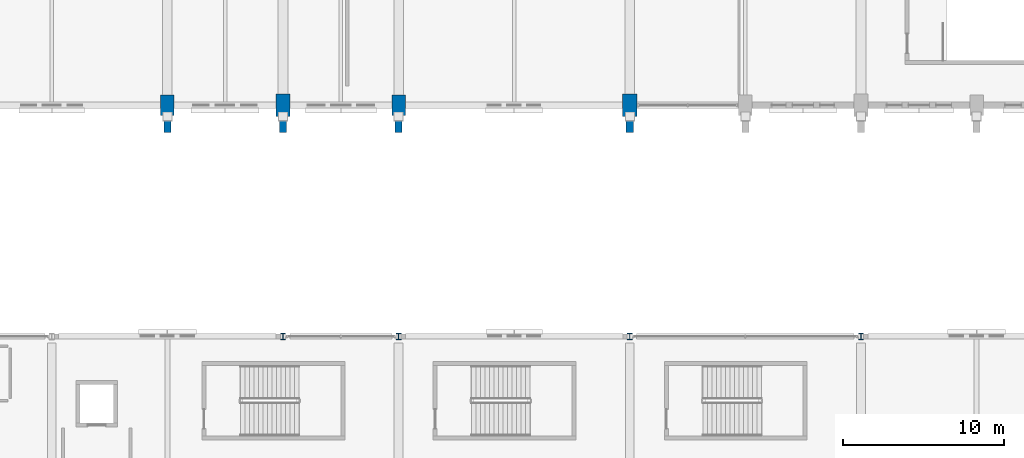
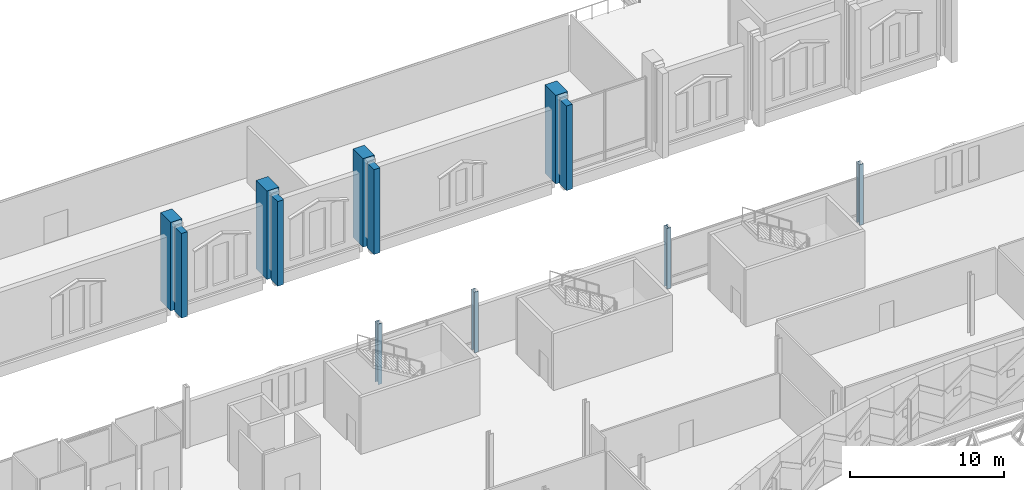
# One storey, part 7 of 220: 12 columns.
"""IFC4 building model written with IfcOpenShell, lengths in metres."""

from ifc_helpers import new_model, si_unit, direction, frame, origin, origin_2d, place, context, subcontext, project, spatial, rectangle, i_section, extrude, material, material_profile, profile_set, type_object, element, save


model = new_model("IFC4")

# Units and contexts
model_context = context("Model", 3, precision=1e-05, world=origin(), true_north=direction((0.0, 1.0)))
body_context = subcontext(model_context, "Body", "Model", "MODEL_VIEW")
ifc_project = project(units=[si_unit("LENGTHUNIT", "METRE"), si_unit("AREAUNIT", "SQUARE_METRE"), si_unit("VOLUMEUNIT", "CUBIC_METRE"), si_unit("PLANEANGLEUNIT", "RADIAN"), si_unit("MASSUNIT", "GRAM", prefix="KILO")], contexts=[model_context])

# Site, building, storey
site_placement = place(None, origin())
site = spatial("IfcSite", under=ifc_project, at=site_placement, CompositionType="ELEMENT")
building_placement = place(site_placement, origin())
building = spatial("IfcBuilding", under=site, at=building_placement, Name="Cendralis Lancet Convention Centre", CompositionType="ELEMENT")
storey_placement = place(building_placement, frame((0.0, 0.0, 5.39990234375)))
storey = spatial("IfcBuildingStorey", under=building, at=storey_placement, Name="L01", CompositionType="ELEMENT", Elevation=5.39990234375)

# Columns
ifc_material_1 = material(Name="Concrete G40 (C40/50)", Category="concrete")
ifc_material_profile_1 = material_profile(ifc_material_1, rectangle(XDim=0.89990234375, YDim=1.39990234375, at=origin_2d()), Name="RC 900x1400")
ifc_profile_set_1 = profile_set([ifc_material_profile_1], Name="Concrete G40 (C40/50)")
column_type_1 = type_object("IfcColumnType", Name="STR-COL-C13", PredefinedType="COLUMN", material=ifc_profile_set_1)
for number, where, z_axis, x_axis, name in (
    (1, (72.0, 50.39990234375, 0.0), (0.0, 0.0, 1.0), (1.0, 0.0, 0.0), "L01 Column C13 at 72.0,50.4"),
    (2, (93.60009765625, 50.39990234375, 0.0), (0.0, 0.0, 1.0), (1.0, 0.0, 0.0), "L01 Column C13 at 93.6,50.4"),
):
    element("IfcColumn", number, at=place(storey_placement, frame(where, z_axis=z_axis, x_axis=x_axis)), inside=storey, type_object=column_type_1, Name=name, PredefinedType="COLUMN", context=body_context, shape_type="SweptSolid", body=[
        extrude(rectangle(XDim=0.89990234375, YDim=1.39990234375, at=origin_2d()), origin(), (0.0, 0.0, 1.0), 7.0),
    ])
ifc_material_profile_2 = material_profile(ifc_material_1, rectangle(XDim=0.85009765625, YDim=1.300048828125, at=origin_2d()), Name="RC 850x1300")
ifc_profile_set_2 = profile_set([ifc_material_profile_2], Name="Concrete G40 (C40/50)")
column_type_2 = type_object("IfcColumnType", Name="STR-COL-C14", PredefinedType="COLUMN", material=ifc_profile_set_2)
for number, where, z_axis, x_axis, name in (
    (3, (64.800048828125, 50.39990234375, 0.0), (0.0, 0.0, 1.0), (1.0, 0.0, 0.0), "L01 Column C14 at 64.8,50.4"),
    (4, (79.199951171875, 50.39990234375, 0.0), (0.0, 0.0, 1.0), (1.0, 0.0, 0.0), "L01 Column C14 at 79.2,50.4"),
):
    element("IfcColumn", number, at=place(storey_placement, frame(where, z_axis=z_axis, x_axis=x_axis)), inside=storey, type_object=column_type_2, Name=name, PredefinedType="COLUMN", context=body_context, shape_type="SweptSolid", body=[
        extrude(rectangle(XDim=0.85009765625, YDim=1.300048828125, at=origin_2d()), origin(), (0.0, 0.0, 1.0), 7.0),
    ])
ifc_material_2 = material(Name="Steel S355", Category="steel")
ifc_material_profile_3 = material_profile(ifc_material_2, i_section(OverallWidth=0.300048828125, OverallDepth=0.39990234375, WebThickness=0.013427734375, FlangeThickness=0.02392578125, FilletRadius=0.027099609375, at=origin_2d()), Name="HEB 400")
ifc_profile_set_3 = profile_set([ifc_material_profile_3], Name="Steel S355")
column_type_3 = type_object("IfcColumnType", Name="STR-COL-C25", PredefinedType="COLUMN", material=ifc_profile_set_3)
for number, where, z_axis, x_axis, name in (
    (5, (72.0, 36.0, 0.0), (0.0, 0.0, 1.0), (1.0, 0.0, 0.0), "L01 Column C25 at 72.0,36.0"),
    (6, (79.199951171875, 36.0, 0.0), (0.0, 0.0, 1.0), (1.0, 0.0, 0.0), "L01 Column C25 at 79.2,36.0"),
    (7, (93.60009765625, 36.0, 0.0), (0.0, 0.0, 1.0), (1.0, 0.0, 0.0), "L01 Column C25 at 93.6,36.0"),
    (8, (108.0, 36.0, 0.0), (0.0, 0.0, 1.0), (1.0, 0.0, 0.0), "L01 Column C25 at 108.0,36.0"),
):
    element("IfcColumn", number, at=place(storey_placement, frame(where, z_axis=z_axis, x_axis=x_axis)), inside=storey, type_object=column_type_3, Name=name, PredefinedType="COLUMN", context=body_context, shape_type="SweptSolid", body=[
        extrude(i_section(OverallWidth=0.300048828125, OverallDepth=0.39990234375, WebThickness=0.013427734375, FlangeThickness=0.02392578125, FilletRadius=0.027099609375, at=origin_2d()), origin(), (0.0, 0.0, 1.0), 4.800048828125),
    ])
ifc_material_profile_4 = material_profile(ifc_material_1, rectangle(XDim=0.449951171875, YDim=0.89990234375, at=origin_2d()), Name="RC 450x900")
ifc_profile_set_4 = profile_set([ifc_material_profile_4], Name="Concrete G40 (C40/50)")
column_type_4 = type_object("IfcColumnType", Name="STR-PIL-PL02", PredefinedType="PILASTER", material=ifc_profile_set_4)
for number, where, z_axis, x_axis, name in (
    (9, (64.800048828125, 49.139892578125, 0.0), (0.0, 0.0, 1.0), (1.0, 0.0, 0.0), "L01 Column PL02 at 64.8,49.1"),
    (10, (72.0, 49.139892578125, 0.0), (0.0, 0.0, 1.0), (1.0, 0.0, 0.0), "L01 Column PL02 at 72.0,49.1"),
    (11, (79.199951171875, 49.139892578125, 0.0), (0.0, 0.0, 1.0), (1.0, 0.0, 0.0), "L01 Column PL02 at 79.2,49.1"),
    (12, (93.60009765625, 49.139892578125, 0.0), (0.0, 0.0, 1.0), (1.0, 0.0, 0.0), "L01 Column PL02 at 93.6,49.1"),
):
    element("IfcColumn", number, at=place(storey_placement, frame(where, z_axis=z_axis, x_axis=x_axis)), inside=storey, type_object=column_type_4, Name=name, PredefinedType="PILASTER", context=body_context, shape_type="SweptSolid", body=[
        extrude(rectangle(XDim=0.449951171875, YDim=0.89990234375, at=origin_2d()), origin(), (0.0, 0.0, 1.0), 6.7001953125),
    ])

save(model, "model.ifc")
